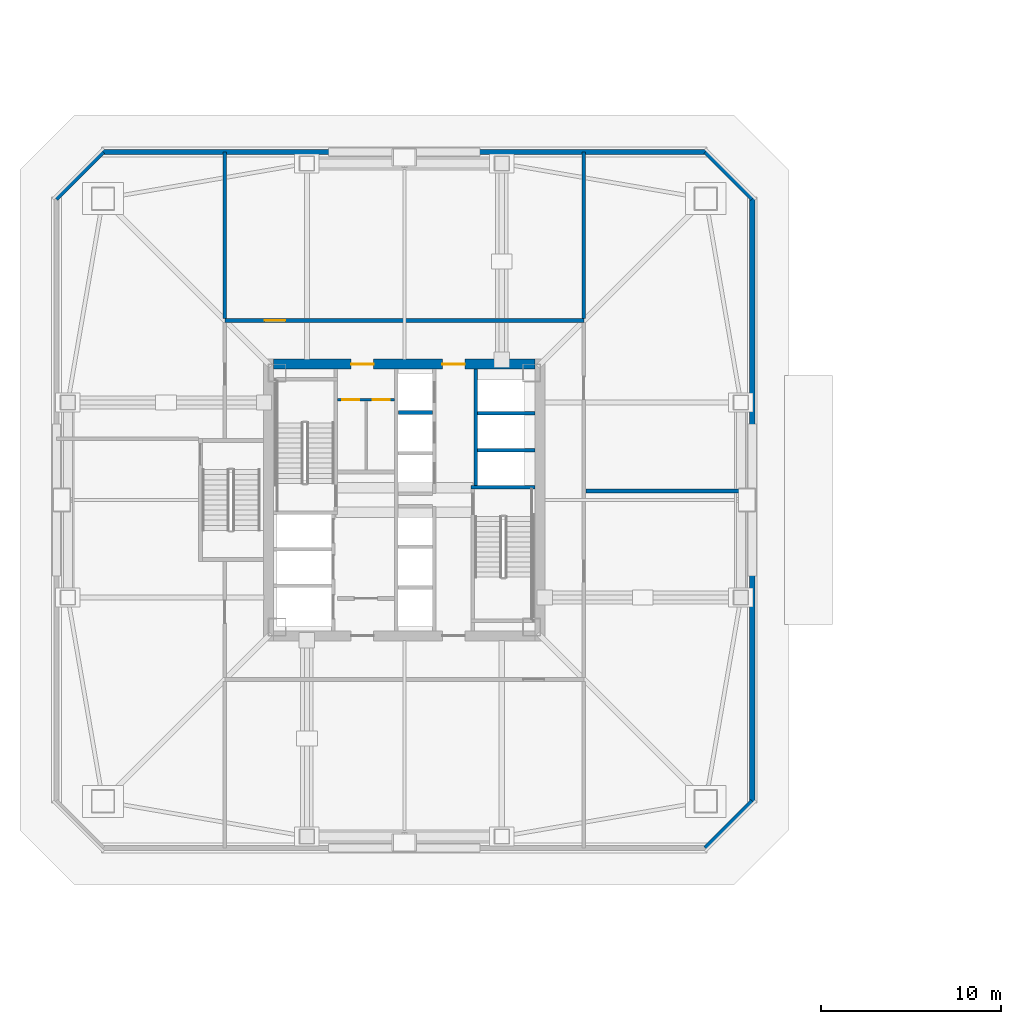
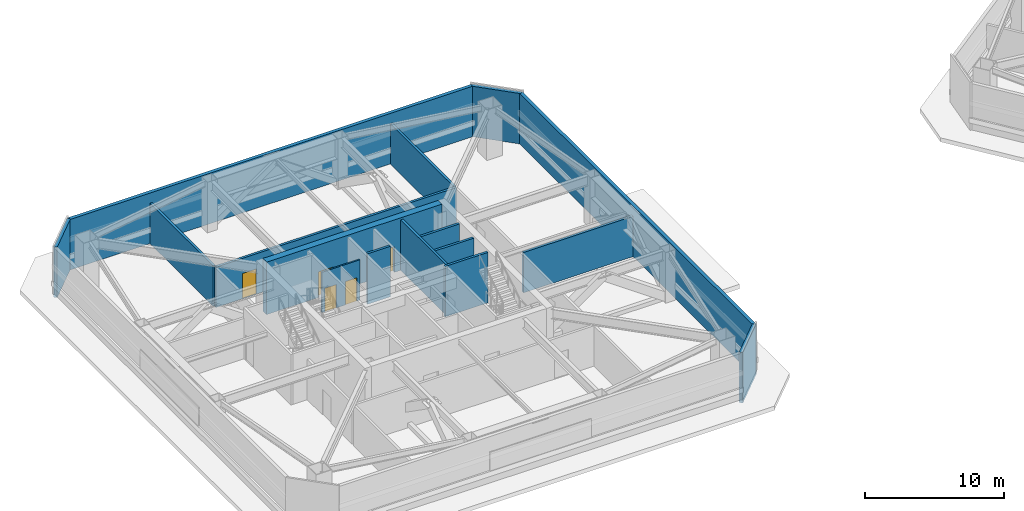
# One storey, part 6 of 15: 16 walls, 5 doors, 5 openings.
"""IFC4 building model written with IfcOpenShell, lengths in metres."""

from ifc_helpers import new_model, si_unit, direction, frame, frame_2d, origin, place, context, subcontext, project, spatial, rectangle, extrude, material, layer, layer_set, type_object, element, fill, save


model = new_model("IFC4")

# Units and contexts
model_context = context("Model", 3, precision=1e-05, world=origin(), true_north=direction((0.0, 1.0)))
body_context = subcontext(model_context, "Body", "Model", "MODEL_VIEW")
ifc_project = project(units=[si_unit("LENGTHUNIT", "METRE"), si_unit("AREAUNIT", "SQUARE_METRE"), si_unit("VOLUMEUNIT", "CUBIC_METRE"), si_unit("PLANEANGLEUNIT", "RADIAN"), si_unit("MASSUNIT", "GRAM", prefix="KILO")], contexts=[model_context])

# Site, building, storey
site_placement = place(None, origin())
site = spatial("IfcSite", under=ifc_project, at=site_placement, CompositionType="ELEMENT")
building_placement = place(site_placement, origin())
building = spatial("IfcBuilding", under=site, at=building_placement, Name="Tashvorn Skyway Center", CompositionType="ELEMENT")
storey_placement = place(building_placement, frame((0.0, 0.0, 109.800048828125)))
storey = spatial("IfcBuildingStorey", under=building, at=storey_placement, Name="L29", CompositionType="ELEMENT", Elevation=109.800048828125)

# Wall, openings, doors
ifc_material_1 = material(Name="Concrete C60/75", Category="concrete")
ifc_layer_1 = layer(ifc_material_1, 0.550048828125)
ifc_layer_set_1 = layer_set([ifc_layer_1], Name="Concrete C60/75")
wall_type_1 = type_object("IfcWallType", Name="WALL-CORE-550", PredefinedType="SHEAR", material=ifc_layer_set_1)
wall_1_placement = place(storey_placement, frame((34.75, 39.52490234375, 0.0), z_axis=(0.0, 0.0, 1.0), x_axis=(1.0, 0.0, 0.0)))
wall_1 = element("IfcWall", 1, at=wall_1_placement, inside=storey, type_object=wall_type_1, Name="Tower 1 L29 North Core Shear Wall", PredefinedType="SHEAR", context=body_context, shape_type="SweptSolid", body=[
    extrude(rectangle(XDim=14.5, YDim=0.550048828125, at=frame_2d((7.25, 0.0))), origin(), (0.0, 0.0, 1.0), 4.599853515625),
])
opening_1_placement = place(wall_1_placement, frame((4.300048828125, 0.0, 0.0)))
opening_1 = element("IfcOpeningElement", 2, at=opening_1_placement, cuts=wall_1, Name="Opening D-FFL-1250", PredefinedType="OPENING", context=body_context, shape_type="SweptSolid", body=[
    extrude(rectangle(XDim=1.25, YDim=2.25, at=frame_2d((0.625, 1.125))), frame((0.0, 0.284912109375, 0.0), z_axis=(0.0, -1.0, 0.0), x_axis=(1.0, 0.0, 0.0)), (0.0, 0.0, 1.0), 0.570068359375),
])
opening_2_placement = place(wall_1_placement, frame((9.35009765625, 0.0, 0.0)))
opening_2 = element("IfcOpeningElement", 3, at=opening_2_placement, cuts=wall_1, Name="Opening D-FFL-1250", PredefinedType="OPENING", context=body_context, shape_type="SweptSolid", body=[
    extrude(rectangle(XDim=1.25, YDim=2.25, at=frame_2d((0.625, 1.125))), frame((0.0, 0.284912109375, 0.0), z_axis=(0.0, -1.0, 0.0), x_axis=(1.0, 0.0, 0.0)), (0.0, 0.0, 1.0), 0.570068359375),
])
ifc_material_2 = material(Name="Hollow galvanized steel fire door assembly", Category="steel")
door_type_1 = type_object("IfcDoorType", Name="DOOR-FFL-1250", OperationType="NOTDEFINED", PredefinedType="DOOR", material=ifc_material_2)
door_1_placement = place(opening_1_placement, origin())
door_1 = element("IfcDoor", 4, at=door_1_placement, inside=storey, type_object=door_type_1, Name="Tower 1 L29 Core North Service Lobby Door", OperationType="SINGLE_SWING_LEFT", OverallHeight=2.25, OverallWidth=1.25, PredefinedType="DOOR", context=body_context, shape_type="SweptSolid", body=[
    extrude(rectangle(XDim=1.25, YDim=2.25, at=frame_2d((0.625, 1.125))), frame((0.0, 0.02490234375, 0.0), z_axis=(0.0, -1.0, 0.0), x_axis=(1.0, 0.0, 0.0)), (0.0, 0.0, 1.0), 0.050048828125),
])
fill(opening_1, door_1)
door_2_placement = place(opening_2_placement, origin())
door_2 = element("IfcDoor", 5, at=door_2_placement, inside=storey, type_object=door_type_1, Name="Tower 1 L29 Core North Lift Lobby Door", OperationType="SINGLE_SWING_RIGHT", OverallHeight=2.25, OverallWidth=1.25, PredefinedType="DOOR", context=body_context, shape_type="SweptSolid", body=[
    extrude(rectangle(XDim=1.25, YDim=2.25, at=frame_2d((0.625, 1.125))), frame((0.0, 0.02490234375, 0.0), z_axis=(0.0, -1.0, 0.0), x_axis=(1.0, 0.0, 0.0)), (0.0, 0.0, 1.0), 0.050048828125),
])
fill(opening_2, door_2)

# Walls
ifc_material_3 = material(Name="Precast concrete C40/50", Category="concrete")
ifc_layer_2 = layer(ifc_material_3, 0.280029296875)
ifc_layer_set_2 = layer_set([ifc_layer_2], Name="Precast concrete C40/50")
wall_type_2 = type_object("IfcWallType", Name="WALL-EXT-280", PredefinedType="SOLIDWALL", material=ifc_layer_set_2)
for number, where, z_axis, x_axis, name in (
    (6, (25.219970703125, 51.280029296875, 0.0), (0.0, 0.0, 1.0), (1.0, 0.0, 0.0), "Tower 1 L29 North Mechanical Belt Wall"),
    (7, (61.280029296875, 48.780029296875, 0.0), (0.0, 0.0, 1.0), (0.0, -1.0, 0.0), "Tower 1 L29 East Mechanical Belt Wall"),
):
    element("IfcWall", number, at=place(storey_placement, frame(where, z_axis=z_axis, x_axis=x_axis)), inside=storey, type_object=wall_type_2, Name=name, PredefinedType="SOLIDWALL", context=body_context, shape_type="SweptSolid", body=[
        extrude(rectangle(XDim=33.56005859375, YDim=0.280029296875, at=frame_2d((16.780029296875, 0.0))), origin(), (0.0, 0.0, 1.0), 4.419921875),
    ])
for number, where, z_axis, x_axis, name in (
    (8, (22.699951171875, 48.699951171875, 0.0), (0.0, 0.0, 1.0), (0.707106781187, 0.707106781187, 0.0), "Tower 1 L29 NW Precast Chamfer Wall"),
    (9, (58.699951171875, 51.300048828125, 0.0), (0.0, 0.0, 1.0), (0.707106781187, -0.707106781187, 0.0), "Tower 1 L29 NE Precast Chamfer Wall"),
    (10, (61.300048828125, 15.300048828125, 0.0), (0.0, 0.0, 1.0), (-0.707106781187, -0.707106781187, 0.0), "Tower 1 L29 SE Precast Chamfer Wall"),
):
    element("IfcWall", number, at=place(storey_placement, frame(where, z_axis=z_axis, x_axis=x_axis)), inside=storey, type_object=wall_type_2, Name=name, PredefinedType="SOLIDWALL", context=body_context, shape_type="SweptSolid", body=[
        extrude(rectangle(XDim=3.677001953125, YDim=0.280029296875, at=frame_2d((1.83837890625, 0.0))), origin(), (0.0, 0.0, 1.0), 4.419921875),
    ])

# Wall, openings, doors
ifc_material_4 = material(Name="Gypsum board on cold-formed steel stud framing", Category="steel")
ifc_layer_3 = layer(ifc_material_4, 0.135009765625)
ifc_layer_set_3 = layer_set([ifc_layer_3], Name="Gypsum board on cold-formed steel stud framing")
wall_type_3 = type_object("IfcWallType", Name="WALL-RATED-135", PredefinedType="PARTITIONING", material=ifc_layer_set_3)
wall_2_placement = place(storey_placement, frame((38.300048828125, 37.550048828125, 0.0), z_axis=(0.0, 0.0, 1.0), x_axis=(1.0, 0.0, 0.0)))
wall_2 = element("IfcWall", 11, at=wall_2_placement, inside=storey, type_object=wall_type_3, Name="Tower 1 L29 Core Service Lobby Wall", PredefinedType="PARTITIONING", context=body_context, shape_type="SweptSolid", body=[
    extrude(rectangle(XDim=3.14990234375, YDim=0.135009765625, at=frame_2d((1.574951171875, 0.0))), origin(), (0.0, 0.0, 1.0), 3.531005859375),
])
opening_3_placement = place(wall_2_placement, frame((0.25, 0.0, 0.0)))
opening_3 = element("IfcOpeningElement", 12, at=opening_3_placement, cuts=wall_2, Name="Opening D-RT-950", PredefinedType="OPENING", context=body_context, shape_type="SweptSolid", body=[
    extrude(rectangle(XDim=0.949951171875, YDim=2.050048828125, at=frame_2d((0.47509765625, 1.02490234375))), frame((0.0, 0.077392578125, 0.0), z_axis=(0.0, -1.0, 0.0), x_axis=(1.0, 0.0, 0.0)), (0.0, 0.0, 1.0), 0.155029296875),
])
opening_4_placement = place(wall_2_placement, frame((1.949951171875, 0.0, 0.0)))
opening_4 = element("IfcOpeningElement", 13, at=opening_4_placement, cuts=wall_2, Name="Opening D-RT-950", PredefinedType="OPENING", context=body_context, shape_type="SweptSolid", body=[
    extrude(rectangle(XDim=0.949951171875, YDim=2.050048828125, at=frame_2d((0.47509765625, 1.02490234375))), frame((0.0, 0.077392578125, 0.0), z_axis=(0.0, -1.0, 0.0), x_axis=(1.0, 0.0, 0.0)), (0.0, 0.0, 1.0), 0.155029296875),
])
door_type_2 = type_object("IfcDoorType", Name="DOOR-RATED-950", OperationType="NOTDEFINED", PredefinedType="DOOR", material=ifc_material_2)
door_3_placement = place(opening_3_placement, origin())
door_3 = element("IfcDoor", 14, at=door_3_placement, inside=storey, type_object=door_type_2, Name="Tower 1 L29 Core Accessible WC Door", OperationType="SINGLE_SWING_LEFT", OverallHeight=2.050048828125, OverallWidth=0.949951171875, PredefinedType="DOOR", context=body_context, shape_type="SweptSolid", body=[
    extrude(rectangle(XDim=0.949951171875, YDim=2.050048828125, at=frame_2d((0.47509765625, 1.02490234375))), frame((0.0, 0.02490234375, 0.0), z_axis=(0.0, -1.0, 0.0), x_axis=(1.0, 0.0, 0.0)), (0.0, 0.0, 1.0), 0.050048828125),
])
fill(opening_3, door_3)
door_4_placement = place(opening_4_placement, origin())
door_4 = element("IfcDoor", 15, at=door_4_placement, inside=storey, type_object=door_type_2, Name="Tower 1 L29 Core Cleaner Store Door", OperationType="SINGLE_SWING_RIGHT", OverallHeight=2.050048828125, OverallWidth=0.949951171875, PredefinedType="DOOR", context=body_context, shape_type="SweptSolid", body=[
    extrude(rectangle(XDim=0.949951171875, YDim=2.050048828125, at=frame_2d((0.47509765625, 1.02490234375))), frame((0.0, 0.02490234375, 0.0), z_axis=(0.0, -1.0, 0.0), x_axis=(1.0, 0.0, 0.0)), (0.0, 0.0, 1.0), 0.050048828125),
])
fill(opening_4, door_4)

# Walls
ifc_material_5 = material(Name="Concrete C40/50", Category="concrete")
ifc_layer_4 = layer(ifc_material_5, 0.199951171875)
ifc_layer_set_4 = layer_set([ifc_layer_4], Name="Concrete C40/50")
wall_type_4 = type_object("IfcWallType", Name="WALL-SHAFT-200", PredefinedType="SOLIDWALL", material=ifc_layer_set_4)
for number, where, z_axis, x_axis, name in (
    (16, (46.050048828125, 34.75, 0.0), (0.0, 0.0, 1.0), (1.0, 0.0, 0.0), "Tower 1 L29 High-Rise Shaft Divider"),
    (17, (46.050048828125, 36.800048828125, 0.0), (0.0, 0.0, 1.0), (1.0, 0.0, 0.0), "Tower 1 L29 High-Rise Shaft Divider"),
):
    element("IfcWall", number, at=place(storey_placement, frame(where, z_axis=z_axis, x_axis=x_axis)), inside=storey, type_object=wall_type_4, Name=name, PredefinedType="SOLIDWALL", context=body_context, shape_type="SweptSolid", body=[
        extrude(rectangle(XDim=3.199951171875, YDim=0.199951171875, at=frame_2d((1.60009765625, 0.0))), origin(), (0.0, 0.0, 1.0), 4.419921875),
    ])
wall_3_placement = place(storey_placement, frame((41.669921875, 36.85009765625, 0.0), z_axis=(0.0, 0.0, 1.0), x_axis=(1.0, 0.0, 0.0)))
element("IfcWall", 18, at=wall_3_placement, inside=storey, type_object=wall_type_4, Name="Tower 1 L29 Mid-Rise Shaft Divider", PredefinedType="SOLIDWALL", context=body_context, shape_type="SweptSolid", body=[
    extrude(rectangle(XDim=1.880126953125, YDim=0.199951171875, at=frame_2d((0.93994140625, 0.0))), origin(), (0.0, 0.0, 1.0), 4.419921875),
])

# Wall, opening, door
wall_4_placement = place(storey_placement, frame((32.050048828125, 41.949951171875, 0.0), z_axis=(0.0, 0.0, 1.0), x_axis=(1.0, 0.0, 0.0)))
wall_4 = element("IfcWall", 19, at=wall_4_placement, inside=storey, type_object=wall_type_4, Name="Tower 1 L29 Plant Corridor North Wall", PredefinedType="SOLIDWALL", context=body_context, shape_type="SweptSolid", body=[
    extrude(rectangle(XDim=19.89990234375, YDim=0.199951171875, at=frame_2d((9.949951171875, 0.0))), origin(), (0.0, 0.0, 1.0), 3.531005859375),
])
opening_5_placement = place(wall_4_placement, frame((2.199951171875, 0.0, 0.0)))
opening_5 = element("IfcOpeningElement", 20, at=opening_5_placement, cuts=wall_4, Name="Opening D-ST-1150", PredefinedType="OPENING", context=body_context, shape_type="SweptSolid", body=[
    extrude(rectangle(XDim=1.14990234375, YDim=2.199951171875, at=frame_2d((0.574951171875, 1.10009765625))), frame((0.0, 0.10986328125, 0.0), z_axis=(0.0, -1.0, 0.0), x_axis=(1.0, 0.0, 0.0)), (0.0, 0.0, 1.0), 0.219970703125),
])
door_type_3 = type_object("IfcDoorType", Name="DOOR-STAIR-1150", OperationType="NOTDEFINED", PredefinedType="DOOR", material=ifc_material_2)
door_5_placement = place(opening_5_placement, origin())
door_5 = element("IfcDoor", 21, at=door_5_placement, inside=storey, type_object=door_type_3, Name="Tower 1 L29 Chiller Plant Door", OperationType="SINGLE_SWING_RIGHT", OverallHeight=2.199951171875, OverallWidth=1.14990234375, PredefinedType="DOOR", context=body_context, shape_type="SweptSolid", body=[
    extrude(rectangle(XDim=1.14990234375, YDim=2.199951171875, at=frame_2d((0.574951171875, 1.10009765625))), frame((0.0, 0.02490234375, 0.0), z_axis=(0.0, -1.0, 0.0), x_axis=(1.0, 0.0, 0.0)), (0.0, 0.0, 1.0), 0.050048828125),
])
fill(opening_5, door_5)

# Walls
for number, where, z_axis, x_axis, name in (
    (22, (32.050048828125, 42.070068359375, 0.0), (0.0, 0.0, 1.0), (0.0, 1.0, 0.0), "Tower 1 L29 Plant Radial NW"),
    (23, (51.949951171875, 42.070068359375, 0.0), (0.0, 0.0, 1.0), (0.0, 1.0, 0.0), "Tower 1 L29 Plant Radial NE"),
    (24, (52.070068359375, 32.5, 0.0), (0.0, 0.0, 1.0), (1.0, 0.0, 0.0), "Tower 1 L29 Refuge East Fire Wall"),
):
    element("IfcWall", number, at=place(storey_placement, frame(where, z_axis=z_axis, x_axis=x_axis)), inside=storey, type_object=wall_type_4, Name=name, PredefinedType="SOLIDWALL", context=body_context, shape_type="SweptSolid", body=[
        extrude(rectangle(XDim=9.2099609375, YDim=0.199951171875, at=frame_2d((4.60498046875, 0.0))), origin(), (0.0, 0.0, 1.0), 3.531005859375),
    ])
ifc_layer_5 = layer(ifc_material_5, 0.199951171875)
ifc_layer_set_5 = layer_set([ifc_layer_5], Name="Concrete C40/50")
wall_type_5 = type_object("IfcWallType", Name="WALL-STSHF-200", PredefinedType="SHEAR", material=ifc_layer_set_5)
wall_5_placement = place(storey_placement, frame((45.699951171875, 32.699951171875, 0.0), z_axis=(0.0, 0.0, 1.0), x_axis=(1.0, 0.0, 0.0)))
element("IfcWall", 25, at=wall_5_placement, inside=storey, type_object=wall_type_5, Name="Tower 1 L29 Stair 2 North Wall", PredefinedType="SHEAR", context=body_context, shape_type="SweptSolid", body=[
    extrude(rectangle(XDim=3.550048828125, YDim=0.199951171875, at=frame_2d((1.77490234375, 0.0))), origin(), (0.0, 0.0, 1.0), 4.419921875),
])
wall_6_placement = place(storey_placement, frame((45.949951171875, 39.25, 0.0), z_axis=(0.0, 0.0, 1.0), x_axis=(0.0, -1.0, 0.0)))
element("IfcWall", 26, at=wall_6_placement, inside=storey, type_object=wall_type_5, Name="Tower 1 L29 High-Rise Lift Shaft Front Wall", PredefinedType="SHEAR", context=body_context, shape_type="SweptSolid", body=[
    extrude(rectangle(XDim=6.449951171875, YDim=0.199951171875, at=frame_2d((3.22509765625, 0.0))), origin(), (0.0, 0.0, 1.0), 4.419921875),
])

save(model, "model.ifc")
